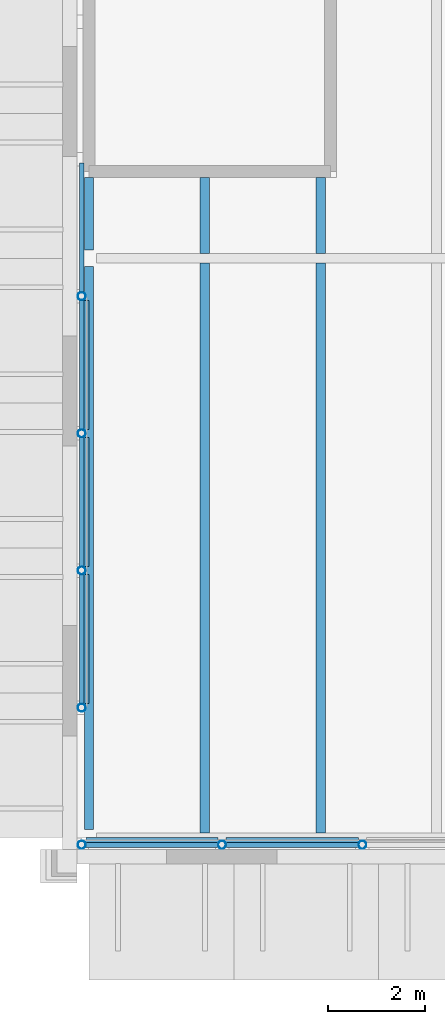
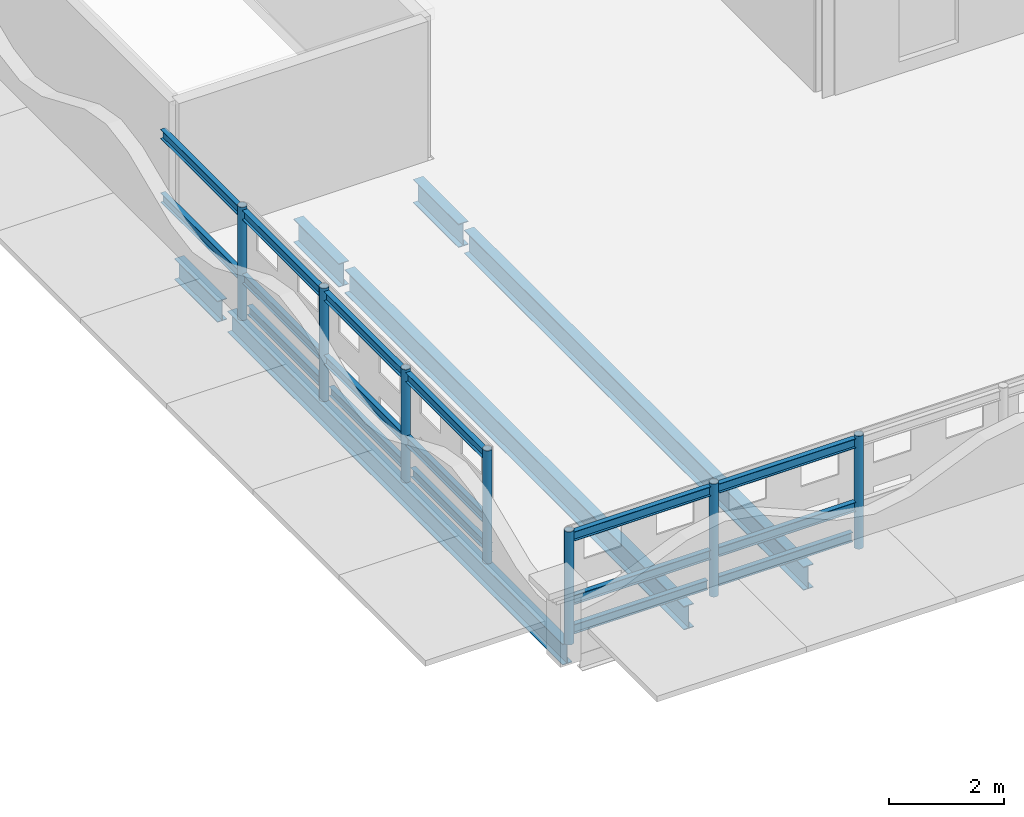
# One storey, part 17 of 91: 24 members, 6 beams.
"""IFC4 building model written with IfcOpenShell, lengths in metres."""

from ifc_helpers import new_model, si_unit, direction, frame, origin, origin_2d, place, context, subcontext, project, spatial, hollow_circle, i_section, extrude, material, material_profile, profile_set, type_object, element, save


model = new_model("IFC4")

# Units and contexts
model_context = context("Model", 3, precision=1e-05, world=origin(), true_north=direction((0.0, 1.0)))
body_context = subcontext(model_context, "Body", "Model", "MODEL_VIEW")
ifc_project = project(units=[si_unit("LENGTHUNIT", "METRE"), si_unit("AREAUNIT", "SQUARE_METRE"), si_unit("VOLUMEUNIT", "CUBIC_METRE"), si_unit("PLANEANGLEUNIT", "RADIAN"), si_unit("MASSUNIT", "GRAM", prefix="KILO")], contexts=[model_context])

# Site, building, storey
site_placement = place(None, origin())
site = spatial("IfcSite", under=ifc_project, at=site_placement, CompositionType="ELEMENT")
building_placement = place(site_placement, origin())
building = spatial("IfcBuilding", under=site, at=building_placement, Name="Ravi Spectrum Wholesale Market", CompositionType="ELEMENT")
storey_placement = place(building_placement, frame((0.0, 0.0, 16.199951171875)))
storey = spatial("IfcBuildingStorey", under=building, at=storey_placement, Name="ROOF PLANT LEVEL", CompositionType="ELEMENT", Elevation=16.199951171875)

# Members
ifc_material_1 = material(Name="Steel S355", Category="steel")
ifc_material_profile_1 = material_profile(ifc_material_1, hollow_circle(Radius=0.084228515625, WallThickness=0.00634765625, at=origin_2d()))
ifc_profile_set_1 = profile_set([ifc_material_profile_1], Name="Steel S355")
member_type_1 = type_object("IfcMemberType", Name="CHS 168.3x6.3 post", PredefinedType="POST", material=ifc_profile_set_1)
for number, where, z_axis, x_axis, name in (
    (1, (197.85009765625, 17.85009765625, 0.0), (0.0, 0.0, 1.0), (1.0, 0.0, 0.0), "CS-MB-ROOF-001"),
    (2, (200.7568359375, 17.85009765625, 0.0), (0.0, 0.0, 1.0), (1.0, 0.0, 0.0), "CS-MB-ROOF-002"),
    (3, (203.663818359375, 17.85009765625, 0.0), (0.0, 0.0, 1.0), (1.0, 0.0, 0.0), "CS-MB-ROOF-003"),
    (4, (197.85009765625, 29.214599609375, 0.0), (0.0, 0.0, 1.0), (1.0, 0.0, 0.0), "CS-MB-ROOF-089"),
    (5, (197.85009765625, 26.37353515625, 0.0), (0.0, 0.0, 1.0), (1.0, 0.0, 0.0), "CS-MB-ROOF-090"),
    (6, (197.85009765625, 23.532470703125, 0.0), (0.0, 0.0, 1.0), (1.0, 0.0, 0.0), "CS-MB-ROOF-091"),
    (7, (197.85009765625, 20.691162109375, 0.0), (0.0, 0.0, 1.0), (1.0, 0.0, 0.0), "CS-MB-ROOF-092"),
):
    element("IfcMember", number, at=place(storey_placement, frame(where, z_axis=z_axis, x_axis=x_axis)), inside=storey, type_object=member_type_1, Name=name, PredefinedType="POST", context=body_context, shape_type="SweptSolid", body=[
        extrude(hollow_circle(Radius=0.084228515625, WallThickness=0.00634765625, at=origin_2d()), origin(), (0.0, 0.0, 1.0), 2.400146484375),
    ])
ifc_material_2 = material(Name="Steel S355", Category="steel")
ifc_material_profile_2 = material_profile(ifc_material_2, i_section(OverallWidth=0.10009765625, OverallDepth=0.199951171875, WebThickness=0.005615234375, FlangeThickness=0.008544921875, at=origin_2d()))
ifc_profile_set_2 = profile_set([ifc_material_profile_2], Name="Steel S355")
member_type_2 = type_object("IfcMemberType", Name="IPE 200 purlin", PredefinedType="PURLIN", material=ifc_profile_set_2)
for number, where, z_axis, x_axis, name in (
    (8, (197.93408203125, 17.85009765625, 0.900146484375), (1.0, 0.0, 0.0), (0.0, 1.0, 0.0), "CS-MB-ROOF-093"),
    (9, (197.93408203125, 17.85009765625, 2.25), (1.0, 0.0, 0.0), (0.0, 1.0, 0.0), "CS-MB-ROOF-094"),
    (10, (197.93408203125, 17.94921875, 0.199951171875), (1.0, 0.0, 0.0), (0.0, 1.0, 0.0), "CS-MB-ROOF-095"),
):
    element("IfcMember", number, at=place(storey_placement, frame(where, z_axis=z_axis, x_axis=x_axis)), inside=storey, type_object=member_type_2, Name=name, PredefinedType="PURLIN", context=body_context, shape_type="SweptSolid", body=[
        extrude(i_section(OverallWidth=0.10009765625, OverallDepth=0.199951171875, WebThickness=0.005615234375, FlangeThickness=0.008544921875, at=origin_2d()), origin(), (0.0, 0.0, 1.0), 2.73876953125),
    ])
for number, where, z_axis, x_axis, name in (
    (11, (200.841064453125, 17.85009765625, 0.900146484375), (1.0, 0.0, 0.0), (0.0, 1.0, 0.0), "CS-MB-ROOF-096"),
    (12, (200.841064453125, 17.85009765625, 2.25), (1.0, 0.0, 0.0), (0.0, 1.0, 0.0), "CS-MB-ROOF-097"),
    (13, (200.841064453125, 17.94921875, 0.199951171875), (1.0, 0.0, 0.0), (0.0, 1.0, 0.0), "CS-MB-ROOF-098"),
):
    element("IfcMember", number, at=place(storey_placement, frame(where, z_axis=z_axis, x_axis=x_axis)), inside=storey, type_object=member_type_2, Name=name, PredefinedType="PURLIN", context=body_context, shape_type="SweptSolid", body=[
        extrude(i_section(OverallWidth=0.10009765625, OverallDepth=0.199951171875, WebThickness=0.005615234375, FlangeThickness=0.008544921875, at=origin_2d()), origin(), (0.0, 0.0, 1.0), 2.738525390625),
    ])
for number, where, z_axis, x_axis, name in (
    (14, (197.85009765625, 31.9716796875, 0.900146484375), (0.0, -1.0, 0.0), (1.0, 0.0, 0.0), "CS-MB-ROOF-345"),
    (15, (197.85009765625, 31.9716796875, 2.25), (0.0, -1.0, 0.0), (1.0, 0.0, 0.0), "CS-MB-ROOF-346"),
    (16, (197.85009765625, 29.130615234375, 0.900146484375), (0.0, -1.0, 0.0), (1.0, 0.0, 0.0), "CS-MB-ROOF-348"),
    (17, (197.85009765625, 29.130615234375, 2.25), (0.0, -1.0, 0.0), (1.0, 0.0, 0.0), "CS-MB-ROOF-349"),
    (18, (197.94921875, 29.130615234375, 0.199951171875), (0.0, -1.0, 0.0), (1.0, 0.0, 0.0), "CS-MB-ROOF-350"),
    (19, (197.85009765625, 26.289306640625, 0.900146484375), (0.0, -1.0, 0.0), (1.0, 0.0, 0.0), "CS-MB-ROOF-351"),
    (20, (197.85009765625, 26.289306640625, 2.25), (0.0, -1.0, 0.0), (1.0, 0.0, 0.0), "CS-MB-ROOF-352"),
    (21, (197.94921875, 26.289306640625, 0.199951171875), (0.0, -1.0, 0.0), (1.0, 0.0, 0.0), "CS-MB-ROOF-353"),
    (22, (197.85009765625, 23.4482421875, 0.900146484375), (0.0, -1.0, 0.0), (1.0, 0.0, 0.0), "CS-MB-ROOF-354"),
    (23, (197.85009765625, 23.4482421875, 2.25), (0.0, -1.0, 0.0), (1.0, 0.0, 0.0), "CS-MB-ROOF-355"),
    (24, (197.94921875, 23.4482421875, 0.199951171875), (0.0, -1.0, 0.0), (1.0, 0.0, 0.0), "CS-MB-ROOF-356"),
):
    element("IfcMember", number, at=place(storey_placement, frame(where, z_axis=z_axis, x_axis=x_axis)), inside=storey, type_object=member_type_2, Name=name, PredefinedType="PURLIN", context=body_context, shape_type="SweptSolid", body=[
        extrude(i_section(OverallWidth=0.10009765625, OverallDepth=0.199951171875, WebThickness=0.005615234375, FlangeThickness=0.008544921875, at=origin_2d()), origin(), (0.0, 0.0, 1.0), 2.6728515625),
    ])

# Beams
ifc_material_3 = material(Name="Steel S355", Category="steel")
ifc_material_profile_3 = material_profile(ifc_material_3, i_section(OverallWidth=0.18994140625, OverallDepth=0.449951171875, WebThickness=0.009521484375, FlangeThickness=0.0146484375, at=origin_2d()))
ifc_profile_set_3 = profile_set([ifc_material_profile_3], Name="Steel S355")
beam_type_1 = type_object("IfcBeamType", Name="IPE 450 girder", PredefinedType="BEAM", material=ifc_profile_set_3)
beam_1_placement = place(storey_placement, frame((198.0, 18.169921875, -0.474853515625), z_axis=(0.0, 1.0, 0.0), x_axis=(-1.0, 0.0, 0.0)))
element("IfcBeam", 25, at=beam_1_placement, inside=storey, type_object=beam_type_1, Name="CS-BM-ROOF-036", PredefinedType="BEAM", context=body_context, shape_type="SweptSolid", body=[
    extrude(i_section(OverallWidth=0.18994140625, OverallDepth=0.449951171875, WebThickness=0.009521484375, FlangeThickness=0.0146484375, at=origin_2d()), origin(), (0.0, 0.0, 1.0), 11.66015625),
])
beam_2_placement = place(storey_placement, frame((198.0, 30.169921875, -0.474853515625), z_axis=(0.0, 1.0, 0.0), x_axis=(-1.0, 0.0, 0.0)))
element("IfcBeam", 26, at=beam_2_placement, inside=storey, type_object=beam_type_1, Name="CS-BM-ROOF-037", PredefinedType="BEAM", context=body_context, shape_type="SweptSolid", body=[
    extrude(i_section(OverallWidth=0.18994140625, OverallDepth=0.449951171875, WebThickness=0.009521484375, FlangeThickness=0.0146484375, at=origin_2d()), origin(), (0.0, 0.0, 1.0), 1.505126953125),
])
ifc_material_4 = material(Name="Steel S355", Category="steel")
ifc_material_profile_4 = material_profile(ifc_material_4, i_section(OverallWidth=0.199951171875, OverallDepth=0.5, WebThickness=0.01025390625, FlangeThickness=0.01611328125, at=origin_2d()))
ifc_profile_set_4 = profile_set([ifc_material_profile_4], Name="Steel S355")
beam_type_2 = type_object("IfcBeamType", Name="IPE 500 beam", PredefinedType="BEAM", material=ifc_profile_set_4)
for number, where, z_axis, x_axis, name in (
    (27, (200.39990234375, 18.10009765625, -0.5), (0.0, 1.0, 0.0), (-1.0, 0.0, 0.0), "CS-BM-ROOF-068"),
    (28, (202.800048828125, 18.10009765625, -0.5), (0.0, 1.0, 0.0), (-1.0, 0.0, 0.0), "CS-BM-ROOF-069"),
):
    element("IfcBeam", number, at=place(storey_placement, frame(where, z_axis=z_axis, x_axis=x_axis)), inside=storey, type_object=beam_type_2, Name=name, PredefinedType="BEAM", context=body_context, shape_type="SweptSolid", body=[
        extrude(i_section(OverallWidth=0.199951171875, OverallDepth=0.5, WebThickness=0.01025390625, FlangeThickness=0.01611328125, at=origin_2d()), origin(), (0.0, 0.0, 1.0), 11.7998046875),
    ])
for number, where, z_axis, x_axis, name in (
    (29, (200.39990234375, 30.10009765625, -0.5), (0.0, 1.0, 0.0), (-1.0, 0.0, 0.0), "CS-BM-ROOF-072"),
    (30, (202.800048828125, 30.10009765625, -0.5), (0.0, 1.0, 0.0), (-1.0, 0.0, 0.0), "CS-BM-ROOF-073"),
):
    element("IfcBeam", number, at=place(storey_placement, frame(where, z_axis=z_axis, x_axis=x_axis)), inside=storey, type_object=beam_type_2, Name=name, PredefinedType="BEAM", context=body_context, shape_type="SweptSolid", body=[
        extrude(i_section(OverallWidth=0.199951171875, OverallDepth=0.5, WebThickness=0.01025390625, FlangeThickness=0.01611328125, at=origin_2d()), origin(), (0.0, 0.0, 1.0), 1.574951171875),
    ])

save(model, "model.ifc")
